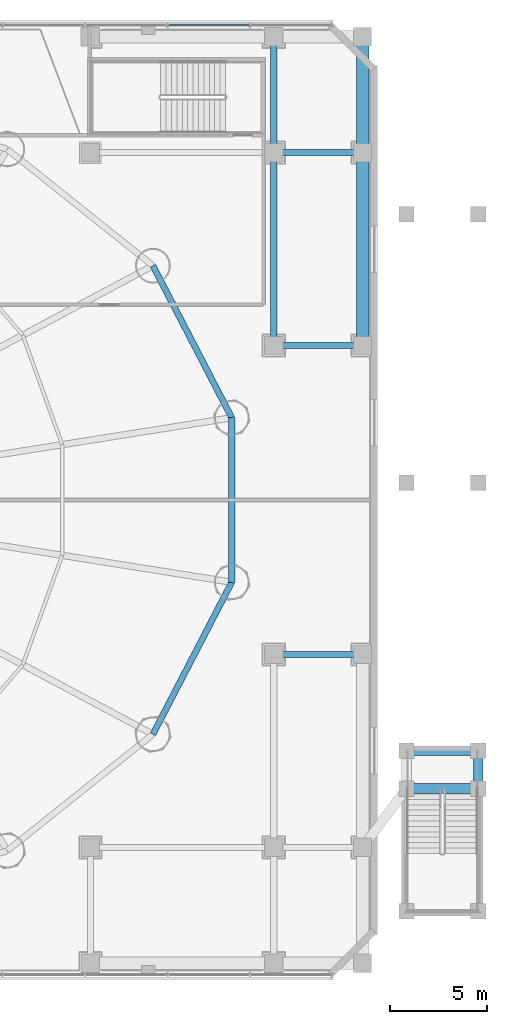
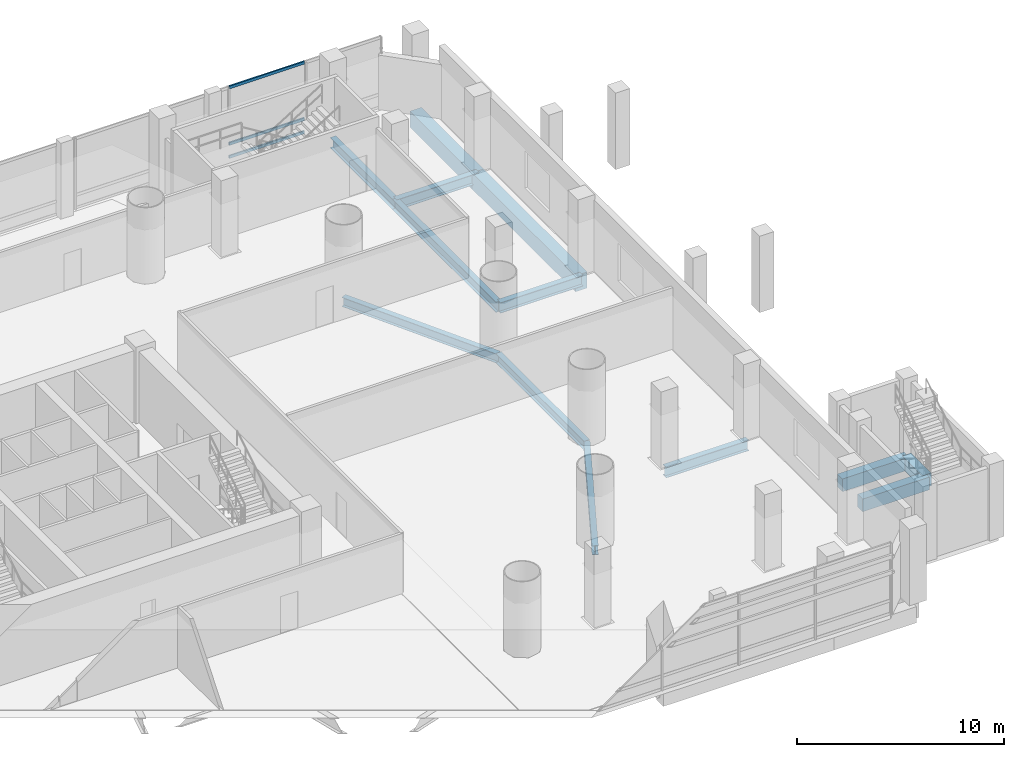
# One storey, part 17 of 36: 13 beams, 3 members, 1 element without a shape of its own.
"""IFC4 building model written with IfcOpenShell, lengths in metres."""

from ifc_helpers import new_model, si_unit, direction, frame, origin, origin_2d, place, context, subcontext, project, spatial, rectangle, hollow_rectangle, i_section, extrude, source, transform, mapped, material, material_profile, profile_set, type_object, element, aggregate, save


model = new_model("IFC4")

# Units and contexts
model_context = context("Model", 3, precision=1e-05, world=origin(), true_north=direction((-0.2419218956, 0.970295726276)))
body_context = subcontext(model_context, "Body", "Model", "MODEL_VIEW")
ifc_project = project(units=[si_unit("LENGTHUNIT", "METRE"), si_unit("AREAUNIT", "SQUARE_METRE"), si_unit("VOLUMEUNIT", "CUBIC_METRE"), si_unit("PLANEANGLEUNIT", "RADIAN"), si_unit("MASSUNIT", "GRAM", prefix="KILO")], contexts=[model_context])

# Site, building, storey
site_placement = place(None, origin())
site = spatial("IfcSite", under=ifc_project, at=site_placement, CompositionType="ELEMENT")
building_placement = place(site_placement, origin())
building = spatial("IfcBuilding", under=site, at=building_placement, Name="Cobrevalo Terracotta Tower", CompositionType="ELEMENT")
storey_placement = place(building_placement, frame((0.0, 0.0, 5.39990234375)))
storey = spatial("IfcBuildingStorey", under=building, at=storey_placement, Name="L01", CompositionType="ELEMENT", Elevation=5.39990234375)

# Beams
ifc_material_1 = material(Name="Steel S355", Category="steel")
ifc_material_profile_1 = material_profile(ifc_material_1, i_section(OverallWidth=0.324951171875, OverallDepth=0.615966796875, WebThickness=0.013916015625, FlangeThickness=0.021484375, at=origin_2d()), Name="W 610x174")
ifc_profile_set_1 = profile_set([ifc_material_profile_1], Name="Steel S355")
beam_type_1 = type_object("IfcBeamType", Name="Structural Beam W 610x174 (Steel S355)", PredefinedType="BEAM", material=ifc_profile_set_1)
beam_1_placement = place(storey_placement, frame((67.0, 18.800048828125, -0.60791015625), z_axis=(1.0, 0.0, 0.0), x_axis=(0.0, 1.0, 0.0)))
element("IfcBeam", 1, at=beam_1_placement, inside=storey, type_object=beam_type_1, Name="L01 podium grid beam G8-GC to G9-GC", PredefinedType="BEAM", context=body_context, shape_type="SweptSolid", body=[
    extrude(i_section(OverallWidth=0.324951171875, OverallDepth=0.615966796875, WebThickness=0.013916015625, FlangeThickness=0.021484375, at=origin_2d()), origin(), (0.0, 0.0, 1.0), 4.60009765625),
])
beam_2_placement = place(storey_placement, frame((67.0, 34.800048828125, -0.60791015625), z_axis=(0.0, 1.0, 0.0), x_axis=(-1.0, 0.0, 0.0)))
element("IfcBeam", 2, at=beam_2_placement, inside=storey, type_object=beam_type_1, Name="L01 podium grid beam G8-GE to G8-GF", PredefinedType="BEAM", context=body_context, shape_type="SweptSolid", body=[
    extrude(i_section(OverallWidth=0.324951171875, OverallDepth=0.615966796875, WebThickness=0.013916015625, FlangeThickness=0.021484375, at=origin_2d()), origin(), (0.0, 0.0, 1.0), 10.0),
])
beam_3_placement = place(storey_placement, frame((67.0, 34.800048828125, -0.60791015625), z_axis=(1.0, 0.0, 0.0), x_axis=(0.0, 1.0, 0.0)))
element("IfcBeam", 3, at=beam_3_placement, inside=storey, type_object=beam_type_1, Name="L01 podium grid beam G8-GE to G9-GE", PredefinedType="BEAM", context=body_context, shape_type="SweptSolid", body=[
    extrude(i_section(OverallWidth=0.324951171875, OverallDepth=0.615966796875, WebThickness=0.013916015625, FlangeThickness=0.021484375, at=origin_2d()), origin(), (0.0, 0.0, 1.0), 4.60009765625),
])
beam_4_placement = place(storey_placement, frame((67.0, 44.800048828125, -0.60791015625), z_axis=(0.0, 1.0, 0.0), x_axis=(-1.0, 0.0, 0.0)))
element("IfcBeam", 4, at=beam_4_placement, inside=storey, type_object=beam_type_1, Name="L01 podium grid beam G8-GF to G8-GG", PredefinedType="BEAM", context=body_context, shape_type="SweptSolid", body=[
    extrude(i_section(OverallWidth=0.324951171875, OverallDepth=0.615966796875, WebThickness=0.013916015625, FlangeThickness=0.021484375, at=origin_2d()), origin(), (0.0, 0.0, 1.0), 6.0),
])
beam_5_placement = place(storey_placement, frame((67.0, 44.800048828125, -0.60791015625), z_axis=(1.0, 0.0, 0.0), x_axis=(0.0, 1.0, 0.0)))
element("IfcBeam", 5, at=beam_5_placement, inside=storey, type_object=beam_type_1, Name="L01 podium grid beam G8-GF to G9-GF", PredefinedType="BEAM", context=body_context, shape_type="SweptSolid", body=[
    extrude(i_section(OverallWidth=0.324951171875, OverallDepth=0.615966796875, WebThickness=0.013916015625, FlangeThickness=0.021484375, at=origin_2d()), origin(), (0.0, 0.0, 1.0), 4.60009765625),
])
ifc_material_2 = material(Name="Concrete C50", Category="concrete")
ifc_material_profile_2 = material_profile(ifc_material_2, rectangle(XDim=0.64990234375, YDim=0.949951171875, at=origin_2d()), Name="RC BM 650x950")
ifc_profile_set_2 = profile_set([ifc_material_profile_2], Name="Concrete C50")
beam_type_2 = type_object("IfcBeamType", Name="Structural Spandrel RC BM 650x950 (Concrete C50)", PredefinedType="SPANDREL", material=ifc_profile_set_2)
beam_6_placement = place(storey_placement, frame((71.60009765625, 34.800048828125, -0.77490234375), z_axis=(0.0, 1.0, 0.0), x_axis=(-1.0, 0.0, 0.0)))
element("IfcBeam", 6, at=beam_6_placement, inside=storey, type_object=beam_type_2, Name="L01 podium grid beam G9-GE to G9-GF", PredefinedType="SPANDREL", context=body_context, shape_type="SweptSolid", body=[
    extrude(rectangle(XDim=0.64990234375, YDim=0.949951171875, at=origin_2d()), origin(), (0.0, 0.0, 1.0), 10.0),
])
beam_7_placement = place(storey_placement, frame((71.60009765625, 44.800048828125, -0.77490234375), z_axis=(0.0, 1.0, 0.0), x_axis=(-1.0, 0.0, 0.0)))
element("IfcBeam", 7, at=beam_7_placement, inside=storey, type_object=beam_type_2, Name="L01 podium grid beam G9-GF to G9-GG", PredefinedType="SPANDREL", context=body_context, shape_type="SweptSolid", body=[
    extrude(rectangle(XDim=0.64990234375, YDim=0.949951171875, at=origin_2d()), origin(), (0.0, 0.0, 1.0), 6.0),
])
ifc_material_profile_3 = material_profile(ifc_material_1, i_section(OverallWidth=0.31201171875, OverallDepth=0.54296875, WebThickness=0.0126953125, FlangeThickness=0.020263671875, at=origin_2d()), Name="W 530x150")
ifc_profile_set_3 = profile_set([ifc_material_profile_3], Name="Steel S355")
beam_type_3 = type_object("IfcBeamType", Name="Structural Spandrel W 530x150 (Steel S355)", PredefinedType="SPANDREL", material=ifc_profile_set_3)
for number, where, z_axis, x_axis, name in (
    (8, (64.824462890625, 31.062744140625, -0.5712890625), (-0.460285838799, 0.88777077368, 0.0), (-0.88777077368, -0.460285838799, 0.0), "L01 perimeter ring spandrel 01"),
    (9, (60.74072265625, 14.660888671875, -0.5712890625), (0.460285838799, 0.88777077368, 0.0), (-0.88777077368, 0.460285838799, 0.0), "L01 perimeter ring spandrel 15"),
):
    element("IfcBeam", number, at=place(storey_placement, frame(where, z_axis=z_axis, x_axis=x_axis)), inside=storey, type_object=beam_type_3, Name=name, PredefinedType="SPANDREL", context=body_context, shape_type="SweptSolid", body=[
        extrude(i_section(OverallWidth=0.31201171875, OverallDepth=0.54296875, WebThickness=0.0126953125, FlangeThickness=0.020263671875, at=origin_2d()), origin(), (0.0, 0.0, 1.0), 8.8720703125),
    ])
beam_8_placement = place(storey_placement, frame((64.824462890625, 22.537353515625, -0.5712890625), z_axis=(0.0, 1.0, 0.0), x_axis=(-1.0, 0.0, 0.0)))
element("IfcBeam", 10, at=beam_8_placement, inside=storey, type_object=beam_type_3, Name="L01 perimeter ring spandrel 16", PredefinedType="SPANDREL", context=body_context, shape_type="SweptSolid", body=[
    extrude(i_section(OverallWidth=0.31201171875, OverallDepth=0.54296875, WebThickness=0.0126953125, FlangeThickness=0.020263671875, at=origin_2d()), origin(), (0.0, 0.0, 1.0), 8.525390625),
])
ifc_material_profile_4 = material_profile(ifc_material_2, rectangle(XDim=0.5, YDim=0.75, at=origin_2d()), Name="RC BM 500x750")
ifc_profile_set_4 = profile_set([ifc_material_profile_4], Name="Concrete C50")
beam_type_4 = type_object("IfcBeamType", Name="Structural T Beam RC BM 500x750 (Concrete C50)", PredefinedType="T_BEAM", material=ifc_profile_set_4)
beam_9_placement = place(storey_placement, frame((77.60009765625, 11.85009765625, -0.6748046875), z_axis=(0.0, 1.0, 0.0), x_axis=(-1.0, 0.0, 0.0)))
element("IfcBeam", 11, at=beam_9_placement, inside=storey, type_object=beam_type_4, Name="L01 garden stair landing side beam E2", PredefinedType="T_BEAM", context=body_context, shape_type="SweptSolid", body=[
    extrude(rectangle(XDim=0.5, YDim=0.75, at=origin_2d()), origin(), (0.0, 0.0, 1.0), 1.949951171875),
])
for number, where, z_axis, x_axis, name in (
    (12, (73.8798828125, 11.85009765625, -0.6748046875), (1.0, 0.0, 0.0), (0.0, 1.0, 0.0), "L01 garden stair shaft header beam ES"),
    (13, (73.8798828125, 13.800048828125, -0.6748046875), (1.0, 0.0, 0.0), (0.0, 1.0, 0.0), "L01 garden stair shaft header beam EN"),
):
    element("IfcBeam", number, at=place(storey_placement, frame(where, z_axis=z_axis, x_axis=x_axis)), inside=storey, type_object=beam_type_4, Name=name, PredefinedType="T_BEAM", context=body_context, shape_type="SweptSolid", body=[
        extrude(rectangle(XDim=0.5, YDim=0.75, at=origin_2d()), origin(), (0.0, 0.0, 1.0), 3.72021484375),
    ])

# Curtain wall, members
ifc_material_3 = material(Name="Anodized aluminium", Category="aluminium")
curtain_wall_type = type_object("IfcCurtainWallType", Name="Double-height storefront stick curtain wall CW-S1", PredefinedType="NOTDEFINED", material=ifc_material_3)
curtain_wall_placement = place(storey_placement, origin())
curtain_wall = element("IfcCurtainWall", 14, at=curtain_wall_placement, inside=storey, type_object=curtain_wall_type, Name="L01 curtain wall CW-POD-L01-N", PredefinedType="NOTDEFINED")
ifc_material_profile_5 = material_profile(ifc_material_3, hollow_rectangle(XDim=0.080078125, YDim=0.1650390625, WallThickness=0.00439453125, at=origin_2d()), Name="CWT 80x165")
ifc_profile_set_5 = profile_set([ifc_material_profile_5], Name="Anodized aluminium")
member_type = type_object("IfcMemberType", Name="Storefront & atrium aluminium transom 80x165", PredefinedType="USERDEFINED", material=ifc_profile_set_5)
shared_shape = source(origin(), body_context, "Body", "SweptSolid", [
    extrude(hollow_rectangle(XDim=0.080078125, YDim=0.1650390625, WallThickness=0.00439453125, at=origin_2d()), origin(), (0.0, 0.0, 1.0), 4.193359375),
])
member_1_placement = place(storey_placement, frame((65.736572265625, 51.39990234375, 0.050048828125), z_axis=(-1.0, 0.0, 0.0), x_axis=(0.0, -1.0, 0.0)))
member_1 = element("IfcMember", 15, at=member_1_placement, type_object=member_type, Name="CW-POD-L01-N transom B02-T1", ObjectType="TRANSOM", PredefinedType="USERDEFINED", context=body_context, shape_type="MappedRepresentation", body=[
    mapped(shared_shape, transform((0.0, 0.0, 0.0), scale=1.0)),
])
member_2_placement = place(storey_placement, frame((65.736572265625, 51.39990234375, 0.820068359375), z_axis=(-1.0, 0.0, 0.0), x_axis=(0.0, -1.0, 0.0)))
member_2 = element("IfcMember", 16, at=member_2_placement, type_object=member_type, Name="CW-POD-L01-N transom B02-T2", ObjectType="TRANSOM", PredefinedType="USERDEFINED", context=body_context, shape_type="MappedRepresentation", body=[
    mapped(shared_shape, transform((0.0, 0.0, 0.0), scale=1.0)),
])
member_3_placement = place(storey_placement, frame((65.736572265625, 51.39990234375, 4.150146484375), z_axis=(-1.0, 0.0, 0.0), x_axis=(0.0, -1.0, 0.0)))
member_3 = element("IfcMember", 17, at=member_3_placement, type_object=member_type, Name="CW-POD-L01-N transom B02-T3", ObjectType="TRANSOM", PredefinedType="USERDEFINED", context=body_context, shape_type="MappedRepresentation", body=[
    mapped(shared_shape, transform((0.0, 0.0, 0.0), scale=1.0)),
])
aggregate(curtain_wall, [member_1, member_2, member_3])

save(model, "model.ifc")
